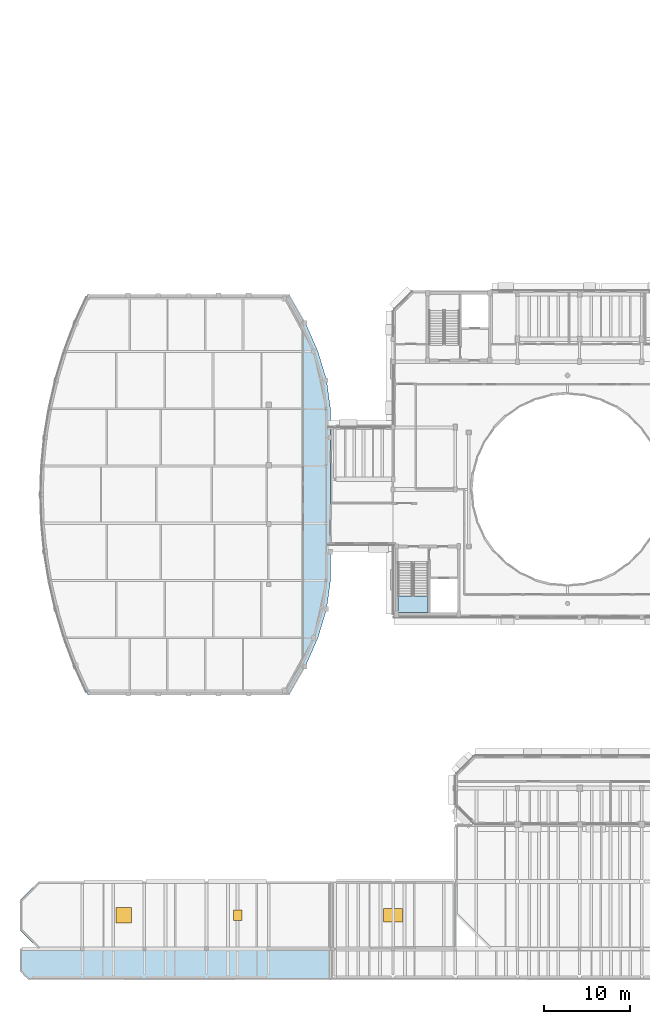
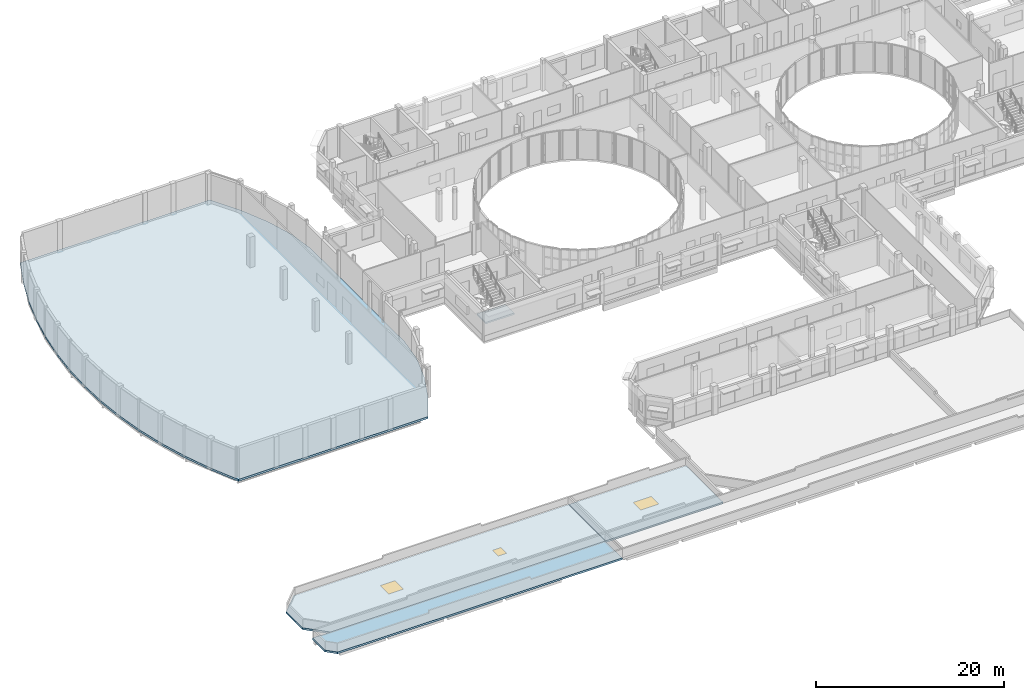
# One storey, part 61 of 105: 5 slabs, 3 windows, 3 openings, 1 element without a shape of its own.
"""IFC4 building model written with IfcOpenShell, lengths in metres."""

from ifc_helpers import new_model, si_unit, direction, frame, origin, origin_2d, place, context, subcontext, project, spatial, polyline, rectangle, outline, extrude, material, layer, layer_set, type_object, element, fill, aggregate, save


model = new_model("IFC4")

# Units and contexts
model_context = context("Model", 3, precision=1e-05, world=origin(), true_north=direction((0.0, 1.0)))
body_context = subcontext(model_context, "Body", "Model", "MODEL_VIEW")
ifc_project = project(units=[si_unit("LENGTHUNIT", "METRE"), si_unit("AREAUNIT", "SQUARE_METRE"), si_unit("VOLUMEUNIT", "CUBIC_METRE"), si_unit("PLANEANGLEUNIT", "RADIAN"), si_unit("MASSUNIT", "GRAM", prefix="KILO")], contexts=[model_context])

# Site, building, storey
site_placement = place(None, origin())
site = spatial("IfcSite", under=ifc_project, at=site_placement, CompositionType="ELEMENT")
building_placement = place(site_placement, origin())
building = spatial("IfcBuilding", under=site, at=building_placement, Name="Kelanivale Promenade Academy", CompositionType="ELEMENT")
storey_placement = place(building_placement, frame((0.0, 0.0, 4.199951171875)))
storey = spatial("IfcBuildingStorey", under=building, at=storey_placement, Name="L01", CompositionType="ELEMENT", Elevation=4.199951171875)

# Slab
ifc_material_1 = material(Name="Concrete C35/45", Category="concrete")
ifc_layer_1 = layer(ifc_material_1, 0.264892578125)
ifc_layer_set_1 = layer_set([ifc_layer_1], Name="Concrete C35/45")
slab_type_1 = type_object("IfcSlabType", Name="FS-02 Slab 265mm", PredefinedType="FLOOR", material=ifc_layer_set_1)
slab_1_placement = place(storey_placement, frame((0.0, 0.0, -0.264892578125)))
element("IfcSlab", 1, at=slab_1_placement, inside=storey, type_object=slab_type_1, Name="L01 structural slab SLB-L01-V1", PredefinedType="FLOOR", context=body_context, shape_type="SweptSolid", body=[
    extrude(outline(polyline([(3.35888671875, 66.14306640625), (2.823974609375, 62.8291015625), (2.506103515625, 59.513916015625), (2.39990234375, 56.199951171875), (2.506103515625, 52.885986328125), (2.823974609375, 49.571044921875), (3.35888671875, 46.257080078125), (4.117919921875, 42.943115234375), (5.111083984375, 39.62890625), (6.35302734375, 36.31396484375), (7.862060546875, 33.0), (31.14990234375, 33.0), (33.050048828125, 36.31396484375), (34.5, 39.62890625), (35.5, 42.943115234375), (35.949951171875, 46.257080078125), (35.949951171875, 66.14306640625), (35.5, 69.45703125), (34.5, 72.77099609375), (33.050048828125, 76.0859375), (31.14990234375, 79.39990234375), (7.862060546875, 79.39990234375), (6.35302734375, 76.0859375), (5.111083984375, 72.77099609375), (4.117919921875, 69.45703125), (3.35888671875, 66.14306640625)])), origin(), (0.0, 0.0, 1.0), 0.264892578125),
])

# Stair, slab
stair_type = type_object("IfcStairType", Name="ST-T02 Protected dog-leg upper-storey stair", PredefinedType="HALF_TURN_STAIR", material=ifc_material_1)
stair_placement = place(storey_placement, origin())
stair = element("IfcStair", 2, at=stair_placement, inside=storey, type_object=stair_type, Name="L01 ST-06", PredefinedType="HALF_TURN_STAIR")
ifc_layer_2 = layer(ifc_material_1, 0.199951171875)
ifc_layer_set_2 = layer_set([ifc_layer_2], Name="Concrete C35/45")
slab_type_2 = type_object("IfcSlabType", Name="LS-01 Slab 200mm", PredefinedType="LANDING", material=ifc_layer_set_2)
slab_2_placement = place(storey_placement, frame((0.0, 0.0, 1.800048828125)))
slab_2 = element("IfcSlab", 3, at=slab_2_placement, type_object=slab_type_2, Name="ST-06 landing 1", PredefinedType="LANDING", context=body_context, shape_type="SweptSolid", body=[
    extrude(outline(polyline([(43.764892578125, 44.445068359375), (43.764892578125, 42.56494140625), (47.264892578125, 42.56494140625), (47.264892578125, 44.445068359375), (43.764892578125, 44.445068359375)])), origin(), (0.0, 0.0, 1.0), 0.199951171875),
])
aggregate(stair, [slab_2])

# Slab
ifc_layer_3 = layer(ifc_material_1, 0.239990234375)
ifc_layer_set_3 = layer_set([ifc_layer_3], Name="Concrete C35/45")
slab_type_3 = type_object("IfcSlabType", Name="RS-01 Slab 240mm", PredefinedType="ROOF", material=ifc_layer_set_3)
slab_3_placement = place(storey_placement, frame((0.0, 0.0, -0.239990234375)))
element("IfcSlab", 4, at=slab_3_placement, inside=storey, type_object=slab_type_3, Name="L01 planted roof slab RF-L01-COLW", PredefinedType="ROOF", context=body_context, shape_type="SweptSolid", body=[
    extrude(outline(polyline([(0.0, 3.60009765625), (0.0, 1.008056640625), (1.008056640625, 0.0), (35.949951171875, 0.0), (35.949951171875, 3.60009765625), (0.0, 3.60009765625)])), origin(), (0.0, 0.0, 1.0), 0.239990234375),
])

# Slab, openings, windows
slab_4_placement = place(storey_placement, frame((0.0, 0.0, -0.239990234375)))
slab_4 = element("IfcSlab", 5, at=slab_4_placement, inside=storey, type_object=slab_type_3, Name="L01 planted roof slab RF-L01-DINW", PredefinedType="ROOF", context=body_context, shape_type="SweptSolid", body=[
    extrude(outline(polyline([(2.18408203125, 3.60009765625), (35.949951171875, 3.60009765625), (35.949951171875, 11.39990234375), (2.18408203125, 11.39990234375), (0.0, 9.216064453125), (0.0, 5.783935546875), (2.18408203125, 3.60009765625)])), origin(), (0.0, 0.0, 1.0), 0.239990234375),
])
opening_1_placement = place(slab_4_placement, frame((25.199951171875, 7.5, 0.0)))
opening_1 = element("IfcOpeningElement", 6, at=opening_1_placement, cuts=slab_4, Name="Opening RH-01", PredefinedType="OPENING", context=body_context, shape_type="SweptSolid", body=[
    extrude(rectangle(XDim=1.0, YDim=1.199951171875, at=origin_2d()), frame((0.0, 0.0, -0.010009765625)), (0.0, 0.0, 1.0), 0.260009765625),
])
opening_2_placement = place(slab_4_placement, frame((12.0, 7.5, 0.0)))
opening_2 = element("IfcOpeningElement", 7, at=opening_2_placement, cuts=slab_4, Name="Opening SK-12", PredefinedType="OPENING", context=body_context, shape_type="SweptSolid", body=[
    extrude(rectangle(XDim=1.800048828125, YDim=1.800048828125, at=origin_2d()), frame((0.0, 0.0, -0.010009765625)), (0.0, 0.0, 1.0), 0.260009765625),
])
ifc_material_2 = material(Name="Bronze anodised aluminium frame with low-E laminated glass", Category="aluminium")
window_type_1 = type_object("IfcWindowType", Name="RH-01 Skylight 1000x1200", PartitioningType="SINGLE_PANEL", PredefinedType="SKYLIGHT", material=ifc_material_2)
window_1_placement = place(opening_1_placement, frame((0.0, 0.0, 0.18994140625)))
window_1 = element("IfcWindow", 8, at=window_1_placement, inside=storey, type_object=window_type_1, Name="Roof maintenance access hatch RH-01", OverallHeight=1.199951171875, OverallWidth=1.0, PartitioningType="SINGLE_PANEL", PredefinedType="SKYLIGHT", context=body_context, shape_type="SweptSolid", body=[
    extrude(rectangle(XDim=1.0, YDim=1.199951171875, at=origin_2d()), origin(), (0.0, 0.0, 1.0), 0.050048828125),
])
fill(opening_1, window_1)
window_type_2 = type_object("IfcWindowType", Name="SK-01 Skylight 1800x1800", PartitioningType="SINGLE_PANEL", PredefinedType="SKYLIGHT", material=ifc_material_2)
window_2_placement = place(opening_2_placement, frame((0.0, 0.0, 0.18994140625)))
window_2 = element("IfcWindow", 9, at=window_2_placement, inside=storey, type_object=window_type_2, Name="Daylight skylight SK-01", OverallHeight=1.800048828125, OverallWidth=1.800048828125, PartitioningType="SINGLE_PANEL", PredefinedType="SKYLIGHT", context=body_context, shape_type="SweptSolid", body=[
    extrude(rectangle(XDim=1.800048828125, YDim=1.800048828125, at=origin_2d()), origin(), (0.0, 0.0, 1.0), 0.050048828125),
])
fill(opening_2, window_2)

# Slab, opening, window
slab_5_placement = place(storey_placement, frame((0.0, 0.0, -0.239990234375)))
slab_5 = element("IfcSlab", 10, at=slab_5_placement, inside=storey, type_object=slab_type_3, Name="L01 planted roof slab RF-L01-DINE", PredefinedType="ROOF", context=body_context, shape_type="SweptSolid", body=[
    extrude(outline(polyline([(50.39990234375, 3.60009765625), (50.39990234375, 11.39990234375), (36.0, 11.39990234375), (36.0, 3.60009765625), (50.39990234375, 3.60009765625)])), origin(), (0.0, 0.0, 1.0), 0.239990234375),
])
opening_3_placement = place(slab_5_placement, frame((43.199951171875, 7.5, 0.0)))
opening_3 = element("IfcOpeningElement", 11, at=opening_3_placement, cuts=slab_5, Name="Opening SK-13", PredefinedType="OPENING", context=body_context, shape_type="SweptSolid", body=[
    extrude(rectangle(XDim=2.199951171875, YDim=1.60009765625, at=origin_2d()), frame((0.0, 0.0, -0.010009765625)), (0.0, 0.0, 1.0), 0.260009765625),
])
window_type_3 = type_object("IfcWindowType", Name="SK-02 Skylight 2200x1600", PartitioningType="SINGLE_PANEL", PredefinedType="SKYLIGHT", material=ifc_material_2)
window_3_placement = place(opening_3_placement, frame((0.0, 0.0, 0.18994140625)))
window_3 = element("IfcWindow", 12, at=window_3_placement, inside=storey, type_object=window_type_3, Name="Daylight skylight SK-02", OverallHeight=1.60009765625, OverallWidth=2.199951171875, PartitioningType="SINGLE_PANEL", PredefinedType="SKYLIGHT", context=body_context, shape_type="SweptSolid", body=[
    extrude(rectangle(XDim=2.199951171875, YDim=1.60009765625, at=origin_2d()), origin(), (0.0, 0.0, 1.0), 0.050048828125),
])
fill(opening_3, window_3)

save(model, "model.ifc")
